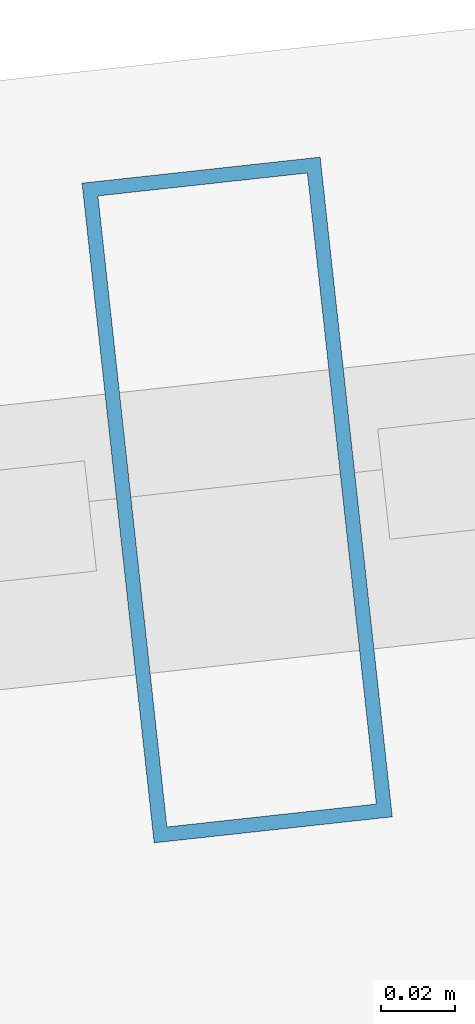
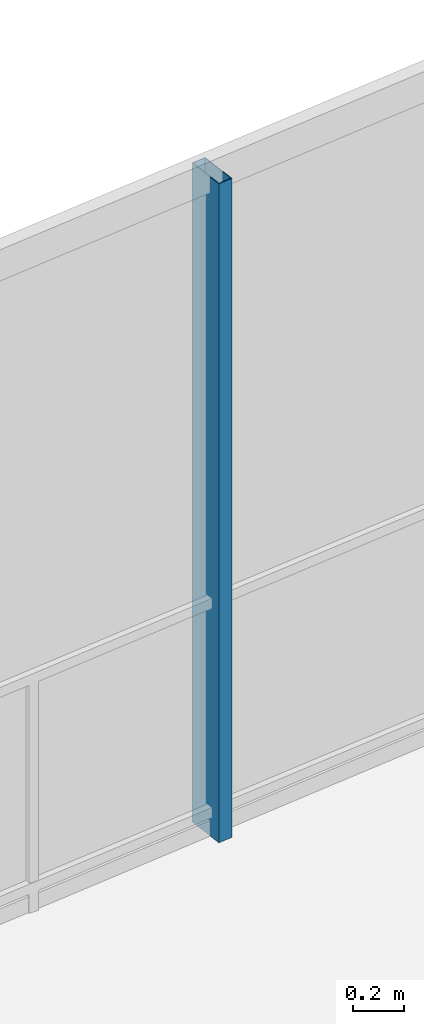
# One storey, part 18 of 30: 1 member, 1 element without a shape of its own.
"""IFC4 building model written with IfcOpenShell, lengths in metres."""

import ifcopenshell
import ifcopenshell.guid

model = None  # the IFC model being written
_history = None  # IfcOwnerHistory: only IFC2X3 demands one
_inside = {}  # id of a spatial element -> (the spatial element, [elements in it])
_under = {}  # id of a project, library or spatial element -> (it, [spatial elements below it])
_declared = {}  # id of a project -> (the project, [libraries it declares])
_typed = {}  # id of a type object -> (the type object, [elements of that type])
_made_of = {}  # id of a material, layer set ... -> (it, [elements and type objects made of it])


def new_model(schema):
    """Start an empty IFC model of exactly this schema.

    Asked for "IFC4X3", IfcOpenShell would pick the latest addendum, in which some entities
    have other attributes; the version numbers below select the first issue.
    IFC2X3 requires an IfcOwnerHistory on every rooted entity: one is made here for all.
    """
    global model, _history
    if schema == "IFC4X3":
        model = ifcopenshell.file(schema_version=(4, 3, 0, 0))
    else:
        model = ifcopenshell.file(schema=schema)
    _inside.clear()
    _under.clear()
    _declared.clear()
    _typed.clear()
    _made_of.clear()
    _history = None
    if model.schema == "IFC2X3":
        org = make("IfcOrganization", Name="unknown")
        user = make(
            "IfcPersonAndOrganization",
            ThePerson=make("IfcPerson", FamilyName="unknown"),
            TheOrganization=org,
        )
        app = make(
            "IfcApplication",
            ApplicationDeveloper=org,
            Version="unknown",
            ApplicationFullName="unknown",
            ApplicationIdentifier="unknown",
        )
        _history = make(
            "IfcOwnerHistory",
            OwningUser=user,
            OwningApplication=app,
            ChangeAction="ADDED",
            CreationDate=0,
        )
    return model


def make(cls, **values):
    """One entity of the class cls with the attributes given. An attribute that is None is left unset."""
    return model.create_entity(
        cls, **{name: value for name, value in values.items() if value is not None}
    )


def rooted(cls, **values):
    """An entity with a GlobalId (a new one), such as an element, a storey or a relation."""
    return make(cls, GlobalId=ifcopenshell.guid.new(), OwnerHistory=_history, **values)


def si_unit(unit_type, name, prefix=None):
    """IfcSIUnit, for example si_unit("LENGTHUNIT", "METRE", prefix="MILLI")."""
    return make("IfcSIUnit", UnitType=unit_type, Prefix=prefix, Name=name)


def assignment(units):
    """IfcUnitAssignment: the units of a project."""
    return None if units is None else make("IfcUnitAssignment", Units=units)


def point(xyz):
    """IfcCartesianPoint."""
    return None if xyz is None else make("IfcCartesianPoint", Coordinates=xyz)


def direction(xyz):
    """IfcDirection."""
    return None if xyz is None else make("IfcDirection", DirectionRatios=xyz)


def frame(location, z_axis=None, x_axis=None):
    """IfcAxis2Placement3D, a coordinate frame: its origin and axes. An axis left out is left unset."""
    return make(
        "IfcAxis2Placement3D",
        Location=point(location),
        Axis=direction(z_axis),
        RefDirection=direction(x_axis),
    )


def frame_2d(location, x_axis=None):
    """IfcAxis2Placement2D, a coordinate frame in the plane: its origin and x axis."""
    return make(
        "IfcAxis2Placement2D", Location=point(location), RefDirection=direction(x_axis)
    )


def origin():
    """The frame at (0, 0, 0) with its axes left unset."""
    return frame((0.0, 0.0, 0.0))


def origin_2d():
    """The frame at (0, 0) in the plane with its x axis left unset."""
    return frame_2d((0.0, 0.0))


def place(relative_to, where):
    """IfcLocalPlacement: puts the frame where relative to a parent placement (None: the world)."""
    return make(
        "IfcLocalPlacement", PlacementRelTo=relative_to, RelativePlacement=where
    )


def context(
    kind, dimensions, precision=None, world=None, true_north=None, identifier=None
):
    """IfcGeometricRepresentationContext, for example the 3D "Model" context."""
    return make(
        "IfcGeometricRepresentationContext",
        ContextIdentifier=identifier,
        ContextType=kind,
        CoordinateSpaceDimension=dimensions,
        Precision=precision,
        WorldCoordinateSystem=world,
        TrueNorth=true_north,
    )


def subcontext(parent, identifier, kind, view, scale=None):
    """IfcGeometricRepresentationSubContext, for example "Body" below "Model"."""
    return make(
        "IfcGeometricRepresentationSubContext",
        ContextIdentifier=identifier,
        ContextType=kind,
        ParentContext=parent,
        TargetScale=scale,
        TargetView=view,
    )


def project(units=None, contexts=None):
    """IfcProject with its units and contexts."""
    return rooted(
        "IfcProject",
        Name="project",
        RepresentationContexts=contexts,
        UnitsInContext=assignment(units),
    )


def spatial(cls, under=None, at=None, **own):
    """A site, building, storey or space (cls), placed at a placement, below another one or the project."""
    s = rooted(cls, ObjectPlacement=at, **own)
    if under is not None:
        _under.setdefault(under.id(), (under, []))[1].append(s)
    return s


def profile(cls, at=None, kind="AREA", **sizes):
    """A parametric profile (cls). Its sizes go by their IFC names, for example OverallWidth=200.0."""
    return make(cls, ProfileType=kind, Position=at, **sizes)


def hollow_rectangle(**sizes):
    """IfcRectangleHollowProfileDef."""
    return profile("IfcRectangleHollowProfileDef", **sizes)


def extrude(swept, where, along, depth):
    """IfcExtrudedAreaSolid: the profile swept, set in the frame where, extruded along a direction by depth."""
    return make(
        "IfcExtrudedAreaSolid",
        SweptArea=swept,
        Position=where,
        ExtrudedDirection=direction(along),
        Depth=depth,
    )


def shape(context_of_items, identifier, shape_type, items):
    """IfcShapeRepresentation: the items that make up one representation, for example the "Body"."""
    return make(
        "IfcShapeRepresentation",
        ContextOfItems=context_of_items,
        RepresentationIdentifier=identifier,
        RepresentationType=shape_type,
        Items=items,
    )


def material(Name=None, Category=None):
    """IfcMaterial."""
    return make("IfcMaterial", Name=Name, Category=Category)


def layer(
    of_material, thickness, ventilated=None, Name=None, Category=None, Priority=None
):
    """IfcMaterialLayer: one layer of a wall or slab, of a material (None: an air gap)."""
    return make(
        "IfcMaterialLayer",
        Material=of_material,
        LayerThickness=thickness,
        IsVentilated=ventilated,
        Name=Name,
        Category=Category,
        Priority=Priority,
    )


def layer_set(layers, Name=None):
    """IfcMaterialLayerSet."""
    return make("IfcMaterialLayerSet", MaterialLayers=layers, LayerSetName=Name)


def material_profile(
    of_material, cross_section, Name=None, Category=None, Priority=None
):
    """IfcMaterialProfile: a cross section and its material."""
    return make(
        "IfcMaterialProfile",
        Name=Name,
        Material=of_material,
        Profile=cross_section,
        Priority=Priority,
        Category=Category,
    )


def profile_set(profiles, Name=None, composite=None):
    """IfcMaterialProfileSet."""
    return make(
        "IfcMaterialProfileSet",
        Name=Name,
        MaterialProfiles=profiles,
        CompositeProfile=composite,
    )


def made_of(thing, what):
    """Note that an element or type object is made of a material, layer set ...; save() writes the relation."""
    if what is not None:
        _made_of.setdefault(what.id(), (what, []))[1].append(thing)
    return thing


def type_object(cls, material=None, **own):
    """A type object (cls), such as IfcWallType, which elements share."""
    return made_of(rooted(cls, **own), material)


def element(
    cls,
    number,
    at=None,
    inside=None,
    cuts=None,
    type_object=None,
    material=None,
    context=None,
    identifier="Body",
    shape_type=None,
    held_by="IfcProductDefinitionShape",
    body=None,
    shapes=None,
    **own,
):
    """One element of the class cls, such as IfcWall. Its Tag is "e" and its number.

    at: its placement. inside: the storey or other place that contains it. cuts: it is an
    opening in that element (IfcRelVoidsElement). A single representation is given by context,
    identifier, shape_type and body (its items); several are given by shapes. held_by: the class
    of the entity that holds the representations. save() writes the other relations.
    """
    e = rooted(cls, Tag="e%d" % number, ObjectPlacement=at, **own)
    if body is not None:
        shapes = [shape(context, identifier, shape_type, body)]
    if shapes is not None:
        e.Representation = make(held_by, Representations=shapes)
    if inside is not None:
        _inside.setdefault(inside.id(), (inside, []))[1].append(e)
    if cuts is not None:
        rooted(
            "IfcRelVoidsElement", RelatingBuildingElement=cuts, RelatedOpeningElement=e
        )
    if type_object is not None:
        _typed.setdefault(type_object.id(), (type_object, []))[1].append(e)
    return made_of(e, material)


def aggregate(whole, parts):
    """IfcRelAggregates: a whole, such as a stair, and the parts it consists of."""
    return rooted("IfcRelAggregates", RelatingObject=whole, RelatedObjects=parts)


def save(model, path):
    """Write the relations noted so far, then the file.

    IfcRelAggregates (storeys below a building ...), IfcRelContainedInSpatialStructure (elements
    in a storey), IfcRelDefinesByType, IfcRelAssociatesMaterial and IfcRelDeclares: one each for
    every whole, place, type object, material and project.
    """
    for whole, parts in _under.values():
        aggregate(whole, parts)
    for where, things in _inside.values():
        rooted(
            "IfcRelContainedInSpatialStructure",
            RelatedElements=things,
            RelatingStructure=where,
        )
    for kind, things in _typed.values():
        rooted("IfcRelDefinesByType", RelatedObjects=things, RelatingType=kind)
    for what, things in _made_of.values():
        rooted("IfcRelAssociatesMaterial", RelatedObjects=things, RelatingMaterial=what)
    for by, libraries in _declared.values():
        rooted("IfcRelDeclares", RelatingContext=by, RelatedDefinitions=libraries)
    model.write(path)


model = new_model("IFC4")

# Units and contexts
model_context = context("Model", 3, precision=1e-05, world=origin(), true_north=direction((0.0, 1.0)))
body_context = subcontext(model_context, "Body", "Model", "MODEL_VIEW")
ifc_project = project(units=[si_unit("LENGTHUNIT", "METRE"), si_unit("AREAUNIT", "SQUARE_METRE"), si_unit("VOLUMEUNIT", "CUBIC_METRE"), si_unit("PLANEANGLEUNIT", "RADIAN"), si_unit("MASSUNIT", "GRAM", prefix="KILO")], contexts=[model_context])

# Site, building, storey
site_placement = place(None, origin())
site = spatial("IfcSite", under=ifc_project, at=site_placement, CompositionType="ELEMENT")
building_placement = place(site_placement, origin())
building = spatial("IfcBuilding", under=site, at=building_placement, Name="Qarnah Convention Tower", CompositionType="ELEMENT")
storey_placement = place(building_placement, frame((0.0, 0.0, 90.14990234375)))
storey = spatial("IfcBuildingStorey", under=building, at=storey_placement, Name="L23", CompositionType="ELEMENT", Elevation=90.14990234375)

# Curtain wall, member
ifc_material_1 = material(Name="Tempered Low-E dark glass", Category="glass")
ifc_layer = layer(ifc_material_1, 0.169921875)
ifc_layer_set = layer_set([ifc_layer], Name="Tempered Low-E dark glass")
curtain_wall_type = type_object("IfcCurtainWallType", Name="CWS-02", PredefinedType="NOTDEFINED", material=ifc_layer_set)
curtain_wall_placement = place(storey_placement, origin())
curtain_wall = element("IfcCurtainWall", 1, at=curtain_wall_placement, inside=storey, type_object=curtain_wall_type, Name="L23 unitised curtain wall CW-L23-F1", PredefinedType="NOTDEFINED")
ifc_material_2 = material(Name="Black anodised aluminium", Category="aluminium")
ifc_material_profile = material_profile(ifc_material_2, hollow_rectangle(XDim=0.06494140625, YDim=0.179931640625, WallThickness=0.00390625, at=origin_2d()), Name="MUL-65X180")
ifc_profile_set = profile_set([ifc_material_profile], Name="Black anodised aluminium")
member_type = type_object("IfcMemberType", Name="MUL-T2", PredefinedType="MULLION", material=ifc_profile_set)
member_placement = place(storey_placement, frame((32.7822265625, 43.63525390625, 0.0), z_axis=(0.0, 0.0, 1.0), x_axis=(0.994075420686, 0.10869249279, 0.0)))
member = element("IfcMember", 2, at=member_placement, type_object=member_type, Name="CW-L23-F1 mullion 3", PredefinedType="MULLION", context=body_context, shape_type="SweptSolid", body=[
    extrude(hollow_rectangle(XDim=0.06494140625, YDim=0.179931640625, WallThickness=0.00390625, at=origin_2d()), origin(), (0.0, 0.0, 1.0), 3.170166015625),
])
aggregate(curtain_wall, [member])

save(model, "model.ifc")
